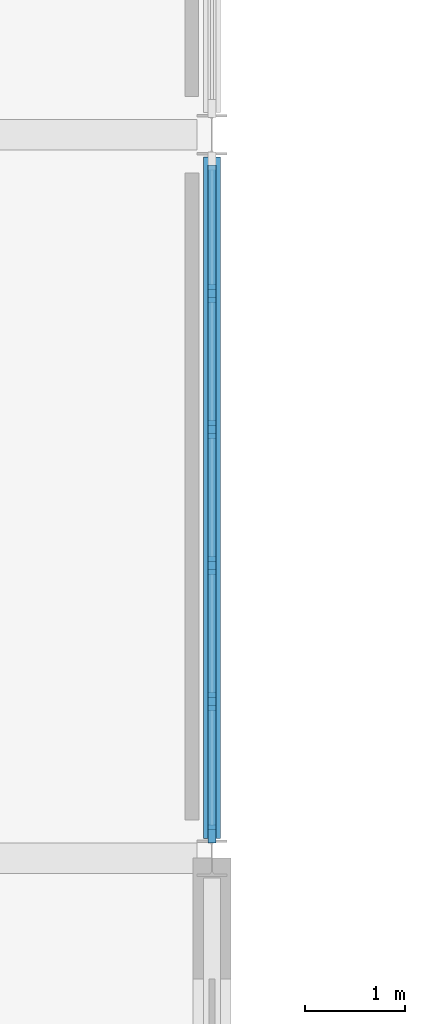
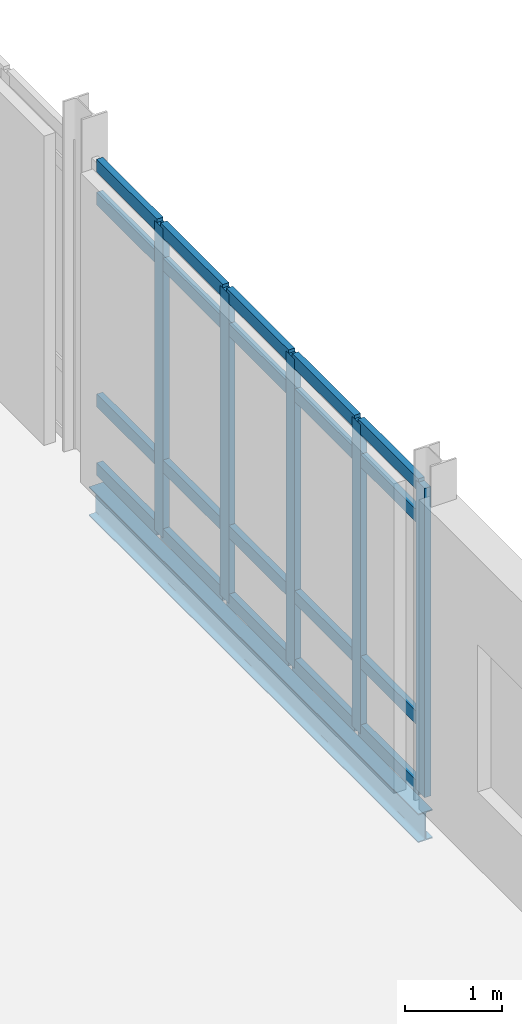
# One storey, part 31 of 72: 25 members, 1 beam, 1 element without a shape of its own.
"""IFC4 building model written with IfcOpenShell, lengths in metres."""

import ifcopenshell
import ifcopenshell.guid

model = None  # the IFC model being written
_history = None  # IfcOwnerHistory: only IFC2X3 demands one
_inside = {}  # id of a spatial element -> (the spatial element, [elements in it])
_under = {}  # id of a project, library or spatial element -> (it, [spatial elements below it])
_declared = {}  # id of a project -> (the project, [libraries it declares])
_typed = {}  # id of a type object -> (the type object, [elements of that type])
_made_of = {}  # id of a material, layer set ... -> (it, [elements and type objects made of it])


def new_model(schema):
    """Start an empty IFC model of exactly this schema.

    Asked for "IFC4X3", IfcOpenShell would pick the latest addendum, in which some entities
    have other attributes; the version numbers below select the first issue.
    IFC2X3 requires an IfcOwnerHistory on every rooted entity: one is made here for all.
    """
    global model, _history
    if schema == "IFC4X3":
        model = ifcopenshell.file(schema_version=(4, 3, 0, 0))
    else:
        model = ifcopenshell.file(schema=schema)
    _inside.clear()
    _under.clear()
    _declared.clear()
    _typed.clear()
    _made_of.clear()
    _history = None
    if model.schema == "IFC2X3":
        org = make("IfcOrganization", Name="unknown")
        user = make(
            "IfcPersonAndOrganization",
            ThePerson=make("IfcPerson", FamilyName="unknown"),
            TheOrganization=org,
        )
        app = make(
            "IfcApplication",
            ApplicationDeveloper=org,
            Version="unknown",
            ApplicationFullName="unknown",
            ApplicationIdentifier="unknown",
        )
        _history = make(
            "IfcOwnerHistory",
            OwningUser=user,
            OwningApplication=app,
            ChangeAction="ADDED",
            CreationDate=0,
        )
    return model


def make(cls, **values):
    """One entity of the class cls with the attributes given. An attribute that is None is left unset."""
    return model.create_entity(
        cls, **{name: value for name, value in values.items() if value is not None}
    )


def rooted(cls, **values):
    """An entity with a GlobalId (a new one), such as an element, a storey or a relation."""
    return make(cls, GlobalId=ifcopenshell.guid.new(), OwnerHistory=_history, **values)


def si_unit(unit_type, name, prefix=None):
    """IfcSIUnit, for example si_unit("LENGTHUNIT", "METRE", prefix="MILLI")."""
    return make("IfcSIUnit", UnitType=unit_type, Prefix=prefix, Name=name)


def assignment(units):
    """IfcUnitAssignment: the units of a project."""
    return None if units is None else make("IfcUnitAssignment", Units=units)


def point(xyz):
    """IfcCartesianPoint."""
    return None if xyz is None else make("IfcCartesianPoint", Coordinates=xyz)


def direction(xyz):
    """IfcDirection."""
    return None if xyz is None else make("IfcDirection", DirectionRatios=xyz)


def frame(location, z_axis=None, x_axis=None):
    """IfcAxis2Placement3D, a coordinate frame: its origin and axes. An axis left out is left unset."""
    return make(
        "IfcAxis2Placement3D",
        Location=point(location),
        Axis=direction(z_axis),
        RefDirection=direction(x_axis),
    )


def frame_2d(location, x_axis=None):
    """IfcAxis2Placement2D, a coordinate frame in the plane: its origin and x axis."""
    return make(
        "IfcAxis2Placement2D", Location=point(location), RefDirection=direction(x_axis)
    )


def origin():
    """The frame at (0, 0, 0) with its axes left unset."""
    return frame((0.0, 0.0, 0.0))


def origin_2d():
    """The frame at (0, 0) in the plane with its x axis left unset."""
    return frame_2d((0.0, 0.0))


def place(relative_to, where):
    """IfcLocalPlacement: puts the frame where relative to a parent placement (None: the world)."""
    return make(
        "IfcLocalPlacement", PlacementRelTo=relative_to, RelativePlacement=where
    )


def context(
    kind, dimensions, precision=None, world=None, true_north=None, identifier=None
):
    """IfcGeometricRepresentationContext, for example the 3D "Model" context."""
    return make(
        "IfcGeometricRepresentationContext",
        ContextIdentifier=identifier,
        ContextType=kind,
        CoordinateSpaceDimension=dimensions,
        Precision=precision,
        WorldCoordinateSystem=world,
        TrueNorth=true_north,
    )


def subcontext(parent, identifier, kind, view, scale=None):
    """IfcGeometricRepresentationSubContext, for example "Body" below "Model"."""
    return make(
        "IfcGeometricRepresentationSubContext",
        ContextIdentifier=identifier,
        ContextType=kind,
        ParentContext=parent,
        TargetScale=scale,
        TargetView=view,
    )


def project(units=None, contexts=None):
    """IfcProject with its units and contexts."""
    return rooted(
        "IfcProject",
        Name="project",
        RepresentationContexts=contexts,
        UnitsInContext=assignment(units),
    )


def spatial(cls, under=None, at=None, **own):
    """A site, building, storey or space (cls), placed at a placement, below another one or the project."""
    s = rooted(cls, ObjectPlacement=at, **own)
    if under is not None:
        _under.setdefault(under.id(), (under, []))[1].append(s)
    return s


def profile(cls, at=None, kind="AREA", **sizes):
    """A parametric profile (cls). Its sizes go by their IFC names, for example OverallWidth=200.0."""
    return make(cls, ProfileType=kind, Position=at, **sizes)


def rectangle(**sizes):
    """IfcRectangleProfileDef."""
    return profile("IfcRectangleProfileDef", **sizes)


def i_section(**sizes):
    """IfcIShapeProfileDef."""
    return profile("IfcIShapeProfileDef", **sizes)


def extrude(swept, where, along, depth):
    """IfcExtrudedAreaSolid: the profile swept, set in the frame where, extruded along a direction by depth."""
    return make(
        "IfcExtrudedAreaSolid",
        SweptArea=swept,
        Position=where,
        ExtrudedDirection=direction(along),
        Depth=depth,
    )


def shape(context_of_items, identifier, shape_type, items):
    """IfcShapeRepresentation: the items that make up one representation, for example the "Body"."""
    return make(
        "IfcShapeRepresentation",
        ContextOfItems=context_of_items,
        RepresentationIdentifier=identifier,
        RepresentationType=shape_type,
        Items=items,
    )


def material(Name=None, Category=None):
    """IfcMaterial."""
    return make("IfcMaterial", Name=Name, Category=Category)


def layer(
    of_material, thickness, ventilated=None, Name=None, Category=None, Priority=None
):
    """IfcMaterialLayer: one layer of a wall or slab, of a material (None: an air gap)."""
    return make(
        "IfcMaterialLayer",
        Material=of_material,
        LayerThickness=thickness,
        IsVentilated=ventilated,
        Name=Name,
        Category=Category,
        Priority=Priority,
    )


def layer_set(layers, Name=None):
    """IfcMaterialLayerSet."""
    return make("IfcMaterialLayerSet", MaterialLayers=layers, LayerSetName=Name)


def material_profile(
    of_material, cross_section, Name=None, Category=None, Priority=None
):
    """IfcMaterialProfile: a cross section and its material."""
    return make(
        "IfcMaterialProfile",
        Name=Name,
        Material=of_material,
        Profile=cross_section,
        Priority=Priority,
        Category=Category,
    )


def profile_set(profiles, Name=None, composite=None):
    """IfcMaterialProfileSet."""
    return make(
        "IfcMaterialProfileSet",
        Name=Name,
        MaterialProfiles=profiles,
        CompositeProfile=composite,
    )


def made_of(thing, what):
    """Note that an element or type object is made of a material, layer set ...; save() writes the relation."""
    if what is not None:
        _made_of.setdefault(what.id(), (what, []))[1].append(thing)
    return thing


def type_object(cls, material=None, **own):
    """A type object (cls), such as IfcWallType, which elements share."""
    return made_of(rooted(cls, **own), material)


def element(
    cls,
    number,
    at=None,
    inside=None,
    cuts=None,
    type_object=None,
    material=None,
    context=None,
    identifier="Body",
    shape_type=None,
    held_by="IfcProductDefinitionShape",
    body=None,
    shapes=None,
    **own,
):
    """One element of the class cls, such as IfcWall. Its Tag is "e" and its number.

    at: its placement. inside: the storey or other place that contains it. cuts: it is an
    opening in that element (IfcRelVoidsElement). A single representation is given by context,
    identifier, shape_type and body (its items); several are given by shapes. held_by: the class
    of the entity that holds the representations. save() writes the other relations.
    """
    e = rooted(cls, Tag="e%d" % number, ObjectPlacement=at, **own)
    if body is not None:
        shapes = [shape(context, identifier, shape_type, body)]
    if shapes is not None:
        e.Representation = make(held_by, Representations=shapes)
    if inside is not None:
        _inside.setdefault(inside.id(), (inside, []))[1].append(e)
    if cuts is not None:
        rooted(
            "IfcRelVoidsElement", RelatingBuildingElement=cuts, RelatedOpeningElement=e
        )
    if type_object is not None:
        _typed.setdefault(type_object.id(), (type_object, []))[1].append(e)
    return made_of(e, material)


def aggregate(whole, parts):
    """IfcRelAggregates: a whole, such as a stair, and the parts it consists of."""
    return rooted("IfcRelAggregates", RelatingObject=whole, RelatedObjects=parts)


def save(model, path):
    """Write the relations noted so far, then the file.

    IfcRelAggregates (storeys below a building ...), IfcRelContainedInSpatialStructure (elements
    in a storey), IfcRelDefinesByType, IfcRelAssociatesMaterial and IfcRelDeclares: one each for
    every whole, place, type object, material and project.
    """
    for whole, parts in _under.values():
        aggregate(whole, parts)
    for where, things in _inside.values():
        rooted(
            "IfcRelContainedInSpatialStructure",
            RelatedElements=things,
            RelatingStructure=where,
        )
    for kind, things in _typed.values():
        rooted("IfcRelDefinesByType", RelatedObjects=things, RelatingType=kind)
    for what, things in _made_of.values():
        rooted("IfcRelAssociatesMaterial", RelatedObjects=things, RelatingMaterial=what)
    for by, libraries in _declared.values():
        rooted("IfcRelDeclares", RelatingContext=by, RelatedDefinitions=libraries)
    model.write(path)


model = new_model("IFC4")

# Units and contexts
model_context = context("Model", 3, precision=1e-05, world=origin(), true_north=direction((0.0, 1.0)))
body_context = subcontext(model_context, "Body", "Model", "MODEL_VIEW")
ifc_project = project(units=[si_unit("LENGTHUNIT", "METRE"), si_unit("AREAUNIT", "SQUARE_METRE"), si_unit("VOLUMEUNIT", "CUBIC_METRE"), si_unit("PLANEANGLEUNIT", "RADIAN"), si_unit("MASSUNIT", "GRAM", prefix="KILO")], contexts=[model_context])

# Site, building, storey
site_placement = place(None, origin())
site = spatial("IfcSite", under=ifc_project, at=site_placement, CompositionType="ELEMENT")
building_placement = place(site_placement, origin())
building = spatial("IfcBuilding", under=site, at=building_placement, Name="Zarrinpeak Specialist Clinic", CompositionType="ELEMENT")
storey_placement = place(building_placement, frame((0.0, 0.0, 9.60009765625)))
storey = spatial("IfcBuildingStorey", under=building, at=storey_placement, Name="L02", CompositionType="ELEMENT", Elevation=9.60009765625)

# Beam
ifc_material_1 = material(Name="Steel S355", Category="steel")
ifc_material_profile_1 = material_profile(ifc_material_1, i_section(OverallWidth=0.169921875, OverallDepth=0.360107421875, WebThickness=0.008056640625, FlangeThickness=0.0126953125, FilletRadius=0.01806640625, at=origin_2d()), Name="IPE 360")
ifc_profile_set_1 = profile_set([ifc_material_profile_1], Name="Steel S355")
beam_type = type_object("IfcBeamType", Name="BM-SP360", PredefinedType="SPANDREL", material=ifc_profile_set_1)
beam_placement = place(storey_placement, frame((64.800048828125, 89.39794921875, -0.39501953125), z_axis=(0.0, 1.0, 0.0), x_axis=(-1.0, 0.0, 0.0)))
element("IfcBeam", 1, at=beam_placement, inside=storey, type_object=beam_type, Name="L02 Perimeter Spandrel Beam BM-L02-Y1311", PredefinedType="SPANDREL", context=body_context, shape_type="SweptSolid", body=[
    extrude(i_section(OverallWidth=0.169921875, OverallDepth=0.360107421875, WebThickness=0.008056640625, FlangeThickness=0.0126953125, FilletRadius=0.01806640625, at=origin_2d()), origin(), (0.0, 0.0, 1.0), 6.779052734375),
])

# Curtain wall, members
ifc_material_2 = material(Name="Anodised Aluminium Alloy 6063-T6", Category="aluminium")
ifc_layer = layer(ifc_material_2, 0.1650390625)
ifc_layer_set = layer_set([ifc_layer], Name="Anodised Aluminium Alloy 6063-T6")
curtain_wall_type = type_object("IfcCurtainWallType", Name="CW-CLINIC", PredefinedType="NOTDEFINED", material=ifc_layer_set)
curtain_wall_placement = place(storey_placement, origin())
curtain_wall = element("IfcCurtainWall", 2, at=curtain_wall_placement, inside=storey, type_object=curtain_wall_type, Name="L02 V6 Unitised Curtain Wall CW-L02-V6-145", PredefinedType="NOTDEFINED")
ifc_material_profile_2 = material_profile(ifc_material_2, rectangle(XDim=0.074951171875, YDim=0.179931640625, at=origin_2d()), Name="ALU 75x180")
ifc_profile_set_2 = profile_set([ifc_material_profile_2], Name="Anodised Aluminium Alloy 6063-T6")
member_type_1 = type_object("IfcMemberType", Name="CWM-75", PredefinedType="MULLION", material=ifc_profile_set_2)
member_1_placement = place(storey_placement, frame((64.800048828125, 89.4423828125, 0.0), z_axis=(0.0, 0.0, 1.0), x_axis=(-1.0, 0.0, 0.0)))
member_1 = element("IfcMember", 3, at=member_1_placement, type_object=member_type_1, Name="CW-03 mullion 1", PredefinedType="MULLION", context=body_context, shape_type="SweptSolid", body=[
    extrude(rectangle(XDim=0.074951171875, YDim=0.179931640625, at=origin_2d()), origin(), (0.0, 0.0, 1.0), 3.885009765625),
])
member_2_placement = place(storey_placement, frame((64.800048828125, 90.759033203125, 0.0), z_axis=(0.0, 0.0, 1.0), x_axis=(-1.0, 0.0, 0.0)))
member_2 = element("IfcMember", 4, at=member_2_placement, type_object=member_type_1, Name="CW-03 mullion 2", PredefinedType="MULLION", context=body_context, shape_type="SweptSolid", body=[
    extrude(rectangle(XDim=0.074951171875, YDim=0.179931640625, at=origin_2d()), origin(), (0.0, 0.0, 1.0), 3.885009765625),
])
member_3_placement = place(storey_placement, frame((64.800048828125, 92.113037109375, 0.0), z_axis=(0.0, 0.0, 1.0), x_axis=(-1.0, 0.0, 0.0)))
member_3 = element("IfcMember", 5, at=member_3_placement, type_object=member_type_1, Name="CW-03 mullion 3", PredefinedType="MULLION", context=body_context, shape_type="SweptSolid", body=[
    extrude(rectangle(XDim=0.074951171875, YDim=0.179931640625, at=origin_2d()), origin(), (0.0, 0.0, 1.0), 3.885009765625),
])
member_4_placement = place(storey_placement, frame((64.800048828125, 93.467041015625, 0.0), z_axis=(0.0, 0.0, 1.0), x_axis=(-1.0, 0.0, 0.0)))
member_4 = element("IfcMember", 6, at=member_4_placement, type_object=member_type_1, Name="CW-03 mullion 4", PredefinedType="MULLION", context=body_context, shape_type="SweptSolid", body=[
    extrude(rectangle(XDim=0.074951171875, YDim=0.179931640625, at=origin_2d()), origin(), (0.0, 0.0, 1.0), 3.885009765625),
])
member_5_placement = place(storey_placement, frame((64.800048828125, 94.821044921875, 0.0), z_axis=(0.0, 0.0, 1.0), x_axis=(-1.0, 0.0, 0.0)))
member_5 = element("IfcMember", 7, at=member_5_placement, type_object=member_type_1, Name="CW-03 mullion 5", PredefinedType="MULLION", context=body_context, shape_type="SweptSolid", body=[
    extrude(rectangle(XDim=0.074951171875, YDim=0.179931640625, at=origin_2d()), origin(), (0.0, 0.0, 1.0), 3.885009765625),
])
ifc_material_profile_3 = material_profile(ifc_material_2, rectangle(XDim=0.074951171875, YDim=0.159912109375, at=origin_2d()), Name="ALU 75x160")
ifc_profile_set_3 = profile_set([ifc_material_profile_3], Name="Anodised Aluminium Alloy 6063-T6")
member_type_2 = type_object("IfcMemberType", Name="CWT-75", PredefinedType="USERDEFINED", material=ifc_profile_set_3)
member_6_placement = place(storey_placement, frame((64.800048828125, 89.47998046875, 0.037353515625), z_axis=(0.0, 1.0, 0.0), x_axis=(-1.0, 0.0, 0.0)))
member_6 = element("IfcMember", 8, at=member_6_placement, type_object=member_type_2, Name="CW-03 transom 1.1", ObjectType="TRANSOM", PredefinedType="USERDEFINED", context=body_context, shape_type="SweptSolid", body=[
    extrude(rectangle(XDim=0.074951171875, YDim=0.159912109375, at=origin_2d()), origin(), (0.0, 0.0, 1.0), 1.241455078125),
])
member_7_placement = place(storey_placement, frame((64.800048828125, 89.47998046875, 0.89990234375), z_axis=(0.0, 1.0, 0.0), x_axis=(-1.0, 0.0, 0.0)))
member_7 = element("IfcMember", 9, at=member_7_placement, type_object=member_type_2, Name="CW-03 transom 1.2", ObjectType="TRANSOM", PredefinedType="USERDEFINED", context=body_context, shape_type="SweptSolid", body=[
    extrude(rectangle(XDim=0.074951171875, YDim=0.159912109375, at=origin_2d()), origin(), (0.0, 0.0, 1.0), 1.241455078125),
])
member_8_placement = place(storey_placement, frame((64.800048828125, 89.47998046875, 3.434814453125), z_axis=(0.0, 1.0, 0.0), x_axis=(-1.0, 0.0, 0.0)))
member_8 = element("IfcMember", 10, at=member_8_placement, type_object=member_type_2, Name="CW-03 transom 1.3", ObjectType="TRANSOM", PredefinedType="USERDEFINED", context=body_context, shape_type="SweptSolid", body=[
    extrude(rectangle(XDim=0.074951171875, YDim=0.159912109375, at=origin_2d()), origin(), (0.0, 0.0, 1.0), 1.241455078125),
])
member_9_placement = place(storey_placement, frame((64.800048828125, 89.47998046875, 3.847412109375), z_axis=(0.0, 1.0, 0.0), x_axis=(-1.0, 0.0, 0.0)))
member_9 = element("IfcMember", 11, at=member_9_placement, type_object=member_type_2, Name="CW-03 transom 1.4", ObjectType="TRANSOM", PredefinedType="USERDEFINED", context=body_context, shape_type="SweptSolid", body=[
    extrude(rectangle(XDim=0.074951171875, YDim=0.159912109375, at=origin_2d()), origin(), (0.0, 0.0, 1.0), 1.241455078125),
])
member_10_placement = place(storey_placement, frame((64.800048828125, 90.79638671875, 0.037353515625), z_axis=(0.0, 1.0, 0.0), x_axis=(-1.0, 0.0, 0.0)))
member_10 = element("IfcMember", 12, at=member_10_placement, type_object=member_type_2, Name="CW-03 transom 2.1", ObjectType="TRANSOM", PredefinedType="USERDEFINED", context=body_context, shape_type="SweptSolid", body=[
    extrude(rectangle(XDim=0.074951171875, YDim=0.159912109375, at=origin_2d()), origin(), (0.0, 0.0, 1.0), 1.279052734375),
])
member_11_placement = place(storey_placement, frame((64.800048828125, 90.79638671875, 0.89990234375), z_axis=(0.0, 1.0, 0.0), x_axis=(-1.0, 0.0, 0.0)))
member_11 = element("IfcMember", 13, at=member_11_placement, type_object=member_type_2, Name="CW-03 transom 2.2", ObjectType="TRANSOM", PredefinedType="USERDEFINED", context=body_context, shape_type="SweptSolid", body=[
    extrude(rectangle(XDim=0.074951171875, YDim=0.159912109375, at=origin_2d()), origin(), (0.0, 0.0, 1.0), 1.279052734375),
])
member_12_placement = place(storey_placement, frame((64.800048828125, 90.79638671875, 3.434814453125), z_axis=(0.0, 1.0, 0.0), x_axis=(-1.0, 0.0, 0.0)))
member_12 = element("IfcMember", 14, at=member_12_placement, type_object=member_type_2, Name="CW-03 transom 2.3", ObjectType="TRANSOM", PredefinedType="USERDEFINED", context=body_context, shape_type="SweptSolid", body=[
    extrude(rectangle(XDim=0.074951171875, YDim=0.159912109375, at=origin_2d()), origin(), (0.0, 0.0, 1.0), 1.279052734375),
])
member_13_placement = place(storey_placement, frame((64.800048828125, 90.79638671875, 3.847412109375), z_axis=(0.0, 1.0, 0.0), x_axis=(-1.0, 0.0, 0.0)))
member_13 = element("IfcMember", 15, at=member_13_placement, type_object=member_type_2, Name="CW-03 transom 2.4", ObjectType="TRANSOM", PredefinedType="USERDEFINED", context=body_context, shape_type="SweptSolid", body=[
    extrude(rectangle(XDim=0.074951171875, YDim=0.159912109375, at=origin_2d()), origin(), (0.0, 0.0, 1.0), 1.279052734375),
])
member_14_placement = place(storey_placement, frame((64.800048828125, 92.150390625, 0.037353515625), z_axis=(0.0, 1.0, 0.0), x_axis=(-1.0, 0.0, 0.0)))
member_14 = element("IfcMember", 16, at=member_14_placement, type_object=member_type_2, Name="CW-03 transom 3.1", ObjectType="TRANSOM", PredefinedType="USERDEFINED", context=body_context, shape_type="SweptSolid", body=[
    extrude(rectangle(XDim=0.074951171875, YDim=0.159912109375, at=origin_2d()), origin(), (0.0, 0.0, 1.0), 1.279052734375),
])
member_15_placement = place(storey_placement, frame((64.800048828125, 92.150390625, 0.89990234375), z_axis=(0.0, 1.0, 0.0), x_axis=(-1.0, 0.0, 0.0)))
member_15 = element("IfcMember", 17, at=member_15_placement, type_object=member_type_2, Name="CW-03 transom 3.2", ObjectType="TRANSOM", PredefinedType="USERDEFINED", context=body_context, shape_type="SweptSolid", body=[
    extrude(rectangle(XDim=0.074951171875, YDim=0.159912109375, at=origin_2d()), origin(), (0.0, 0.0, 1.0), 1.279052734375),
])
member_16_placement = place(storey_placement, frame((64.800048828125, 92.150390625, 3.434814453125), z_axis=(0.0, 1.0, 0.0), x_axis=(-1.0, 0.0, 0.0)))
member_16 = element("IfcMember", 18, at=member_16_placement, type_object=member_type_2, Name="CW-03 transom 3.3", ObjectType="TRANSOM", PredefinedType="USERDEFINED", context=body_context, shape_type="SweptSolid", body=[
    extrude(rectangle(XDim=0.074951171875, YDim=0.159912109375, at=origin_2d()), origin(), (0.0, 0.0, 1.0), 1.279052734375),
])
member_17_placement = place(storey_placement, frame((64.800048828125, 92.150390625, 3.847412109375), z_axis=(0.0, 1.0, 0.0), x_axis=(-1.0, 0.0, 0.0)))
member_17 = element("IfcMember", 19, at=member_17_placement, type_object=member_type_2, Name="CW-03 transom 3.4", ObjectType="TRANSOM", PredefinedType="USERDEFINED", context=body_context, shape_type="SweptSolid", body=[
    extrude(rectangle(XDim=0.074951171875, YDim=0.159912109375, at=origin_2d()), origin(), (0.0, 0.0, 1.0), 1.279052734375),
])
member_18_placement = place(storey_placement, frame((64.800048828125, 93.50439453125, 0.037353515625), z_axis=(0.0, 1.0, 0.0), x_axis=(-1.0, 0.0, 0.0)))
member_18 = element("IfcMember", 20, at=member_18_placement, type_object=member_type_2, Name="CW-03 transom 4.1", ObjectType="TRANSOM", PredefinedType="USERDEFINED", context=body_context, shape_type="SweptSolid", body=[
    extrude(rectangle(XDim=0.074951171875, YDim=0.159912109375, at=origin_2d()), origin(), (0.0, 0.0, 1.0), 1.279052734375),
])
member_19_placement = place(storey_placement, frame((64.800048828125, 93.50439453125, 0.89990234375), z_axis=(0.0, 1.0, 0.0), x_axis=(-1.0, 0.0, 0.0)))
member_19 = element("IfcMember", 21, at=member_19_placement, type_object=member_type_2, Name="CW-03 transom 4.2", ObjectType="TRANSOM", PredefinedType="USERDEFINED", context=body_context, shape_type="SweptSolid", body=[
    extrude(rectangle(XDim=0.074951171875, YDim=0.159912109375, at=origin_2d()), origin(), (0.0, 0.0, 1.0), 1.279052734375),
])
member_20_placement = place(storey_placement, frame((64.800048828125, 93.50439453125, 3.434814453125), z_axis=(0.0, 1.0, 0.0), x_axis=(-1.0, 0.0, 0.0)))
member_20 = element("IfcMember", 22, at=member_20_placement, type_object=member_type_2, Name="CW-03 transom 4.3", ObjectType="TRANSOM", PredefinedType="USERDEFINED", context=body_context, shape_type="SweptSolid", body=[
    extrude(rectangle(XDim=0.074951171875, YDim=0.159912109375, at=origin_2d()), origin(), (0.0, 0.0, 1.0), 1.279052734375),
])
member_21_placement = place(storey_placement, frame((64.800048828125, 93.50439453125, 3.847412109375), z_axis=(0.0, 1.0, 0.0), x_axis=(-1.0, 0.0, 0.0)))
member_21 = element("IfcMember", 23, at=member_21_placement, type_object=member_type_2, Name="CW-03 transom 4.4", ObjectType="TRANSOM", PredefinedType="USERDEFINED", context=body_context, shape_type="SweptSolid", body=[
    extrude(rectangle(XDim=0.074951171875, YDim=0.159912109375, at=origin_2d()), origin(), (0.0, 0.0, 1.0), 1.279052734375),
])
member_22_placement = place(storey_placement, frame((64.800048828125, 94.8583984375, 0.037353515625), z_axis=(0.0, 1.0, 0.0), x_axis=(-1.0, 0.0, 0.0)))
member_22 = element("IfcMember", 24, at=member_22_placement, type_object=member_type_2, Name="CW-03 transom 5.1", ObjectType="TRANSOM", PredefinedType="USERDEFINED", context=body_context, shape_type="SweptSolid", body=[
    extrude(rectangle(XDim=0.074951171875, YDim=0.159912109375, at=origin_2d()), origin(), (0.0, 0.0, 1.0), 1.24169921875),
])
member_23_placement = place(storey_placement, frame((64.800048828125, 94.8583984375, 0.89990234375), z_axis=(0.0, 1.0, 0.0), x_axis=(-1.0, 0.0, 0.0)))
member_23 = element("IfcMember", 25, at=member_23_placement, type_object=member_type_2, Name="CW-03 transom 5.2", ObjectType="TRANSOM", PredefinedType="USERDEFINED", context=body_context, shape_type="SweptSolid", body=[
    extrude(rectangle(XDim=0.074951171875, YDim=0.159912109375, at=origin_2d()), origin(), (0.0, 0.0, 1.0), 1.24169921875),
])
member_24_placement = place(storey_placement, frame((64.800048828125, 94.8583984375, 3.434814453125), z_axis=(0.0, 1.0, 0.0), x_axis=(-1.0, 0.0, 0.0)))
member_24 = element("IfcMember", 26, at=member_24_placement, type_object=member_type_2, Name="CW-03 transom 5.3", ObjectType="TRANSOM", PredefinedType="USERDEFINED", context=body_context, shape_type="SweptSolid", body=[
    extrude(rectangle(XDim=0.074951171875, YDim=0.159912109375, at=origin_2d()), origin(), (0.0, 0.0, 1.0), 1.24169921875),
])
member_25_placement = place(storey_placement, frame((64.800048828125, 94.8583984375, 3.847412109375), z_axis=(0.0, 1.0, 0.0), x_axis=(-1.0, 0.0, 0.0)))
member_25 = element("IfcMember", 27, at=member_25_placement, type_object=member_type_2, Name="CW-03 transom 5.4", ObjectType="TRANSOM", PredefinedType="USERDEFINED", context=body_context, shape_type="SweptSolid", body=[
    extrude(rectangle(XDim=0.074951171875, YDim=0.159912109375, at=origin_2d()), origin(), (0.0, 0.0, 1.0), 1.24169921875),
])
aggregate(curtain_wall, [member_1, member_2, member_3, member_4, member_5, member_6, member_7, member_8, member_9, member_10, member_11, member_12, member_13, member_14, member_15, member_16, member_17, member_18, member_19, member_20, member_21, member_22, member_23, member_24, member_25])

save(model, "model.ifc")
